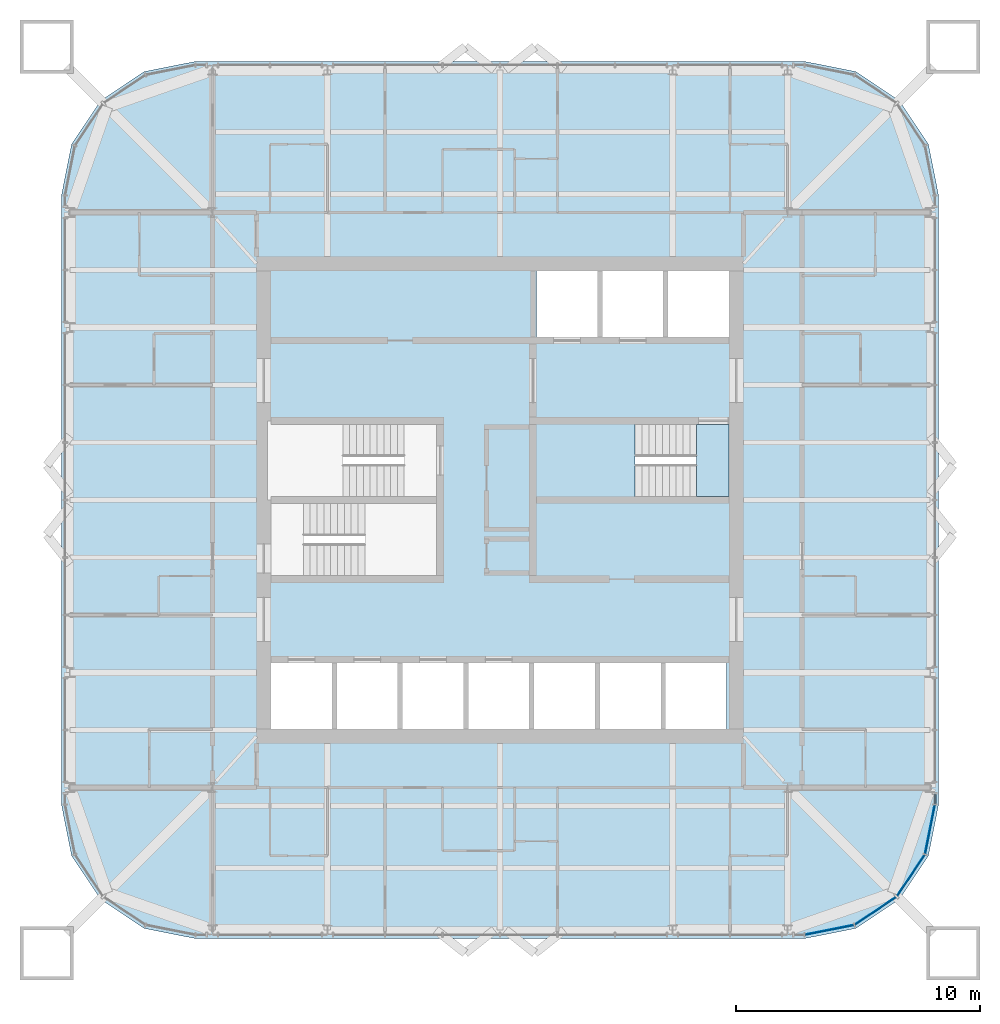
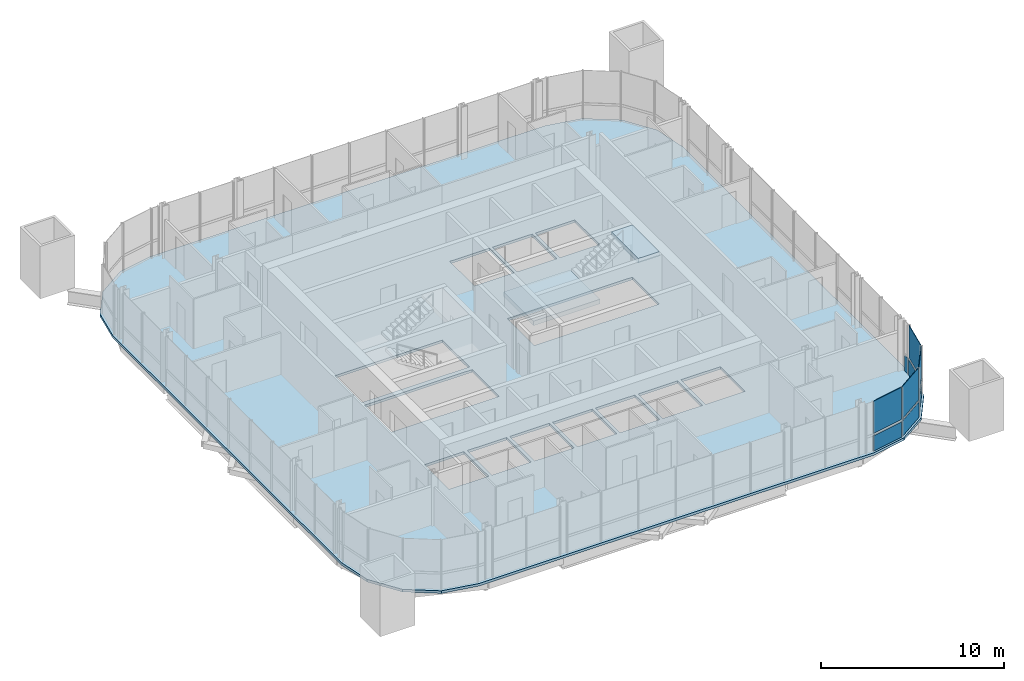
# One storey, part 10 of 17: 9 plates, 3 slabs, 3 elements without a shape of their own.
"""IFC4 building model written with IfcOpenShell, lengths in metres."""

from ifc_helpers import new_model, si_unit, direction, frame, origin, origin_2d, place, context, subcontext, project, spatial, polyline, rectangle, outline, extrude, material, layer, layer_set, type_object, element, aggregate, save


model = new_model("IFC4")

# Units and contexts
model_context = context("Model", 3, precision=1e-05, world=origin(), true_north=direction((0.0, 1.0)))
body_context = subcontext(model_context, "Body", "Model", "MODEL_VIEW")
ifc_project = project(units=[si_unit("LENGTHUNIT", "METRE"), si_unit("AREAUNIT", "SQUARE_METRE"), si_unit("VOLUMEUNIT", "CUBIC_METRE"), si_unit("PLANEANGLEUNIT", "RADIAN"), si_unit("MASSUNIT", "GRAM", prefix="KILO")], contexts=[model_context])

# Site, building, storey
site_placement = place(None, origin())
site = spatial("IfcSite", under=ifc_project, at=site_placement, CompositionType="ELEMENT")
building_placement = place(site_placement, origin())
building = spatial("IfcBuilding", under=site, at=building_placement, Name="Turquesa Mirador Hotel Tower", CompositionType="ELEMENT")
storey_placement = place(building_placement, frame((0.0, 0.0, 251.199951171875)))
storey = spatial("IfcBuildingStorey", under=building, at=storey_placement, Name="L68", CompositionType="ELEMENT", Elevation=251.199951171875)

# Slab
ifc_material_1 = material(Name="Concrete C28/35", Category="concrete")
ifc_layer_1 = layer(ifc_material_1, 0.169921875)
ifc_layer_set_1 = layer_set([ifc_layer_1], Name="COMPOSITE FLOOR SLAB 170")
slab_type_1 = type_object("IfcSlabType", Name="COMPOSITE FLOOR SLAB 170", PredefinedType="FLOOR", material=ifc_layer_set_1)
slab_1_placement = place(storey_placement, frame((0.0, 0.0, -0.169921875)))
element("IfcSlab", 1, at=slab_1_placement, inside=storey, type_object=slab_type_1, Name="Floor slab L68", PredefinedType="FLOOR", context=body_context, shape_type="SweptSolid", body=[
    extrude(outline(polyline([(67.5, 27.0), (69.604736328125, 27.418701171875), (71.38916015625, 28.61083984375), (72.581298828125, 30.395263671875), (73.0, 32.5), (73.0, 57.5), (72.581298828125, 59.604736328125), (71.38916015625, 61.38916015625), (69.604736328125, 62.581298828125), (67.5, 63.0), (42.5, 63.0), (40.395263671875, 62.581298828125), (38.61083984375, 61.38916015625), (37.418701171875, 59.604736328125), (37.0, 57.5), (37.0, 32.5), (37.418701171875, 30.395263671875), (38.61083984375, 28.61083984375), (40.395263671875, 27.418701171875), (42.5, 27.0), (67.5, 27.0)]), holes=[polyline([(56.5, 51.699951171875), (59.0, 51.699951171875), (59.0, 54.39990234375), (56.5, 54.39990234375), (56.5, 51.699951171875)]), polyline([(59.199951171875, 51.699951171875), (61.699951171875, 51.699951171875), (61.699951171875, 54.39990234375), (59.199951171875, 54.39990234375), (59.199951171875, 51.699951171875)]), polyline([(45.60009765625, 35.60009765625), (48.10009765625, 35.60009765625), (48.10009765625, 38.300048828125), (45.60009765625, 38.300048828125), (45.60009765625, 35.60009765625)]), polyline([(48.300048828125, 35.60009765625), (50.800048828125, 35.60009765625), (50.800048828125, 38.300048828125), (48.300048828125, 38.300048828125), (48.300048828125, 35.60009765625)]), polyline([(51.0, 35.60009765625), (53.5, 35.60009765625), (53.5, 38.300048828125), (51.0, 38.300048828125), (51.0, 35.60009765625)]), polyline([(53.699951171875, 35.60009765625), (56.199951171875, 35.60009765625), (56.199951171875, 38.300048828125), (53.699951171875, 38.300048828125), (53.699951171875, 35.60009765625)]), polyline([(56.39990234375, 35.60009765625), (58.89990234375, 35.60009765625), (58.89990234375, 38.300048828125), (56.39990234375, 38.300048828125), (56.39990234375, 35.60009765625)]), polyline([(59.10009765625, 35.60009765625), (61.60009765625, 35.60009765625), (61.60009765625, 38.300048828125), (59.10009765625, 38.300048828125), (59.10009765625, 35.60009765625)]), polyline([(61.800048828125, 35.60009765625), (64.300048828125, 35.60009765625), (64.300048828125, 38.300048828125), (61.800048828125, 38.300048828125), (61.800048828125, 35.60009765625)]), polyline([(45.60009765625, 45.14990234375), (52.39990234375, 45.14990234375), (52.39990234375, 48.10009765625), (45.60009765625, 48.10009765625), (45.60009765625, 45.14990234375)]), polyline([(45.60009765625, 41.89990234375), (52.39990234375, 41.89990234375), (52.39990234375, 44.85009765625), (45.60009765625, 44.85009765625), (45.60009765625, 41.89990234375)]), polyline([(56.5, 45.14990234375), (64.39990234375, 45.14990234375), (64.39990234375, 48.10009765625), (56.5, 48.10009765625), (56.5, 45.14990234375)]), polyline([(61.89990234375, 51.699951171875), (64.39990234375, 51.699951171875), (64.39990234375, 54.39990234375), (61.89990234375, 54.39990234375), (61.89990234375, 51.699951171875)])]), origin(), (0.0, 0.0, 1.0), 0.169921875),
])

# Curtain wall, plates
ifc_material_2 = material(Name="Aluminium extrusion", Category="aluminium")
curtain_wall_type = type_object("IfcCurtainWallType", Name="CW-4 SUITE FRITTED CURTAIN WALL", PredefinedType="USERDEFINED", material=ifc_material_2)
curtain_wall_1_placement = place(storey_placement, origin())
curtain_wall_1 = element("IfcCurtainWall", 2, at=curtain_wall_1_placement, inside=storey, type_object=curtain_wall_type, Name="CW-4 SUITE FRITTED CURTAIN WALL L68", ObjectType="CURTAIN WALL", PredefinedType="USERDEFINED")
ifc_material_3 = material(Name="Ceramic-printed spandrel glass on an insulated back pan", Category="glass")
ifc_layer_2 = layer(ifc_material_3, 0.050048828125)
ifc_layer_set_2 = layer_set([ifc_layer_2], Name="CW PANEL SPANDREL CERAMIC")
plate_type_1 = type_object("IfcPlateType", Name="CW PANEL SPANDREL CERAMIC", PredefinedType="CURTAIN_PANEL", material=ifc_layer_set_2)
plate_1_placement = place(storey_placement, frame((68.523681640625, 27.353515625, 0.0), z_axis=(0.0, 0.0, 1.0), x_axis=(0.980785228048, 0.195090585221, 0.0)))
plate_1 = element("IfcPlate", 3, at=plate_1_placement, type_object=plate_type_1, Name="Panel", PredefinedType="CURTAIN_PANEL", context=body_context, shape_type="SweptSolid", body=[
    extrude(rectangle(XDim=2.0224609375, YDim=0.050048828125, at=origin_2d()), origin(), (0.0, 0.0, 1.0), 1.02490234375),
])
plate_2_placement = place(storey_placement, frame((70.415283203125, 28.13720703125, 0.0), z_axis=(0.0, 0.0, 1.0), x_axis=(0.831469673284, 0.555570141754, 0.0)))
plate_2 = element("IfcPlate", 4, at=plate_2_placement, type_object=plate_type_1, Name="Panel", PredefinedType="CURTAIN_PANEL", context=body_context, shape_type="SweptSolid", body=[
    extrude(rectangle(XDim=2.0224609375, YDim=0.050048828125, at=origin_2d()), origin(), (0.0, 0.0, 1.0), 1.02490234375),
])
plate_3_placement = place(storey_placement, frame((71.86279296875, 29.584716796875, 0.0), z_axis=(0.0, 0.0, 1.0), x_axis=(0.555570141754, 0.831469673284, 0.0)))
plate_3 = element("IfcPlate", 5, at=plate_3_placement, type_object=plate_type_1, Name="Panel", PredefinedType="CURTAIN_PANEL", context=body_context, shape_type="SweptSolid", body=[
    extrude(rectangle(XDim=2.0224609375, YDim=0.050048828125, at=origin_2d()), origin(), (0.0, 0.0, 1.0), 1.02490234375),
])
plate_4_placement = place(storey_placement, frame((72.646484375, 31.476318359375, 0.0), z_axis=(0.0, 0.0, 1.0), x_axis=(0.195090585221, 0.980785228048, 0.0)))
plate_4 = element("IfcPlate", 6, at=plate_4_placement, type_object=plate_type_1, Name="Panel", PredefinedType="CURTAIN_PANEL", context=body_context, shape_type="SweptSolid", body=[
    extrude(rectangle(XDim=2.0224609375, YDim=0.050048828125, at=origin_2d()), origin(), (0.0, 0.0, 1.0), 1.02490234375),
])

# Curtain wall, plate
curtain_wall_2_placement = place(storey_placement, origin())
curtain_wall_2 = element("IfcCurtainWall", 7, at=curtain_wall_2_placement, inside=storey, type_object=curtain_wall_type, Name="CW-4 SUITE FRITTED CURTAIN WALL L68", ObjectType="CURTAIN WALL", PredefinedType="USERDEFINED")
plate_5_placement = place(storey_placement, frame((72.85009765625, 32.733154296875, 0.0), z_axis=(0.0, 0.0, 1.0), x_axis=(0.0, 1.0, 0.0)))
plate_5 = element("IfcPlate", 8, at=plate_5_placement, type_object=plate_type_1, Name="Panel", PredefinedType="CURTAIN_PANEL", context=body_context, shape_type="SweptSolid", body=[
    extrude(rectangle(XDim=0.401123046875, YDim=0.050048828125, at=origin_2d()), origin(), (0.0, 0.0, 1.0), 1.02490234375),
])
aggregate(curtain_wall_2, [plate_5])

# Plate
ifc_material_4 = material(Name="Ceramic-fritted laminated glass", Category="glass")
ifc_layer_3 = layer(ifc_material_4, 0.031982421875)
ifc_layer_set_3 = layer_set([ifc_layer_3], Name="CW PANEL VISION FRITTED")
plate_type_2 = type_object("IfcPlateType", Name="CW PANEL VISION FRITTED", PredefinedType="CURTAIN_PANEL", material=ifc_layer_set_3)
plate_6_placement = place(storey_placement, frame((68.523681640625, 27.353515625, 1.1748046875), z_axis=(0.0, 0.0, 1.0), x_axis=(0.980785228048, 0.195090585221, 0.0)))
plate_6 = element("IfcPlate", 9, at=plate_6_placement, type_object=plate_type_2, Name="Panel", PredefinedType="CURTAIN_PANEL", context=body_context, shape_type="SweptSolid", body=[
    extrude(rectangle(XDim=2.0224609375, YDim=0.031982421875, at=origin_2d()), origin(), (0.0, 0.0, 1.0), 2.155029296875),
])

plate_7_placement = place(storey_placement, frame((70.415283203125, 28.13720703125, 1.1748046875), z_axis=(0.0, 0.0, 1.0), x_axis=(0.831469673284, 0.555570141754, 0.0)))
plate_7 = element("IfcPlate", 10, at=plate_7_placement, type_object=plate_type_2, Name="Panel", PredefinedType="CURTAIN_PANEL", context=body_context, shape_type="SweptSolid", body=[
    extrude(rectangle(XDim=2.0224609375, YDim=0.031982421875, at=origin_2d()), origin(), (0.0, 0.0, 1.0), 2.155029296875),
])

plate_8_placement = place(storey_placement, frame((71.86279296875, 29.584716796875, 1.1748046875), z_axis=(0.0, 0.0, 1.0), x_axis=(0.555570141754, 0.831469673284, 0.0)))
plate_8 = element("IfcPlate", 11, at=plate_8_placement, type_object=plate_type_2, Name="Panel", PredefinedType="CURTAIN_PANEL", context=body_context, shape_type="SweptSolid", body=[
    extrude(rectangle(XDim=2.0224609375, YDim=0.031982421875, at=origin_2d()), origin(), (0.0, 0.0, 1.0), 2.155029296875),
])

plate_9_placement = place(storey_placement, frame((72.646484375, 31.476318359375, 1.1748046875), z_axis=(0.0, 0.0, 1.0), x_axis=(0.195090585221, 0.980785228048, 0.0)))
plate_9 = element("IfcPlate", 12, at=plate_9_placement, type_object=plate_type_2, Name="Panel", PredefinedType="CURTAIN_PANEL", context=body_context, shape_type="SweptSolid", body=[
    extrude(rectangle(XDim=2.0224609375, YDim=0.031982421875, at=origin_2d()), origin(), (0.0, 0.0, 1.0), 2.155029296875),
])

aggregate(curtain_wall_1, [plate_1, plate_6, plate_2, plate_7, plate_3, plate_8, plate_4, plate_9])

# Stair, slabs
ifc_material_5 = material(Name="Concrete C35/45", Category="concrete")
stair_type = type_object("IfcStairType", Name="ESCAPE STAIR CORE", PredefinedType="HALF_TURN_STAIR", material=ifc_material_5)
stair_placement = place(storey_placement, origin())
stair = element("IfcStair", 13, at=stair_placement, inside=storey, type_object=stair_type, Name="Stair ST3 L68 to L69", PredefinedType="HALF_TURN_STAIR")
ifc_material_6 = material(Name="Concrete C35/45", Category="concrete")
ifc_layer_4 = layer(ifc_material_6, 0.300048828125)
ifc_layer_set_4 = layer_set([ifc_layer_4], Name="STAIR LANDING 300")
slab_type_2 = type_object("IfcSlabType", Name="STAIR LANDING 300", PredefinedType="LANDING", material=ifc_layer_set_4)
slab_2_placement = place(storey_placement, frame((0.0, 0.0, 1.449951171875)))
slab_2 = element("IfcSlab", 14, at=slab_2_placement, type_object=slab_type_2, Name="ST3 landing 1", PredefinedType="LANDING", context=body_context, shape_type="SweptSolid", body=[
    extrude(outline(polyline([(56.35009765625, 45.0), (60.550048828125, 45.0), (60.550048828125, 48.25), (56.35009765625, 48.25), (56.35009765625, 45.0)])), origin(), (0.0, 0.0, 1.0), 0.300048828125),
])
slab_3_placement = place(storey_placement, frame((0.0, 0.0, 3.199951171875)))
slab_3 = element("IfcSlab", 15, at=slab_3_placement, type_object=slab_type_2, Name="ST3 landing 2", PredefinedType="LANDING", context=body_context, shape_type="SweptSolid", body=[
    extrude(outline(polyline([(63.070068359375, 45.14990234375), (64.39990234375, 45.14990234375), (64.39990234375, 48.10009765625), (63.070068359375, 48.10009765625), (63.070068359375, 45.14990234375)])), origin(), (0.0, 0.0, 1.0), 0.300048828125),
])
aggregate(stair, [slab_2, slab_3])

save(model, "model.ifc")
